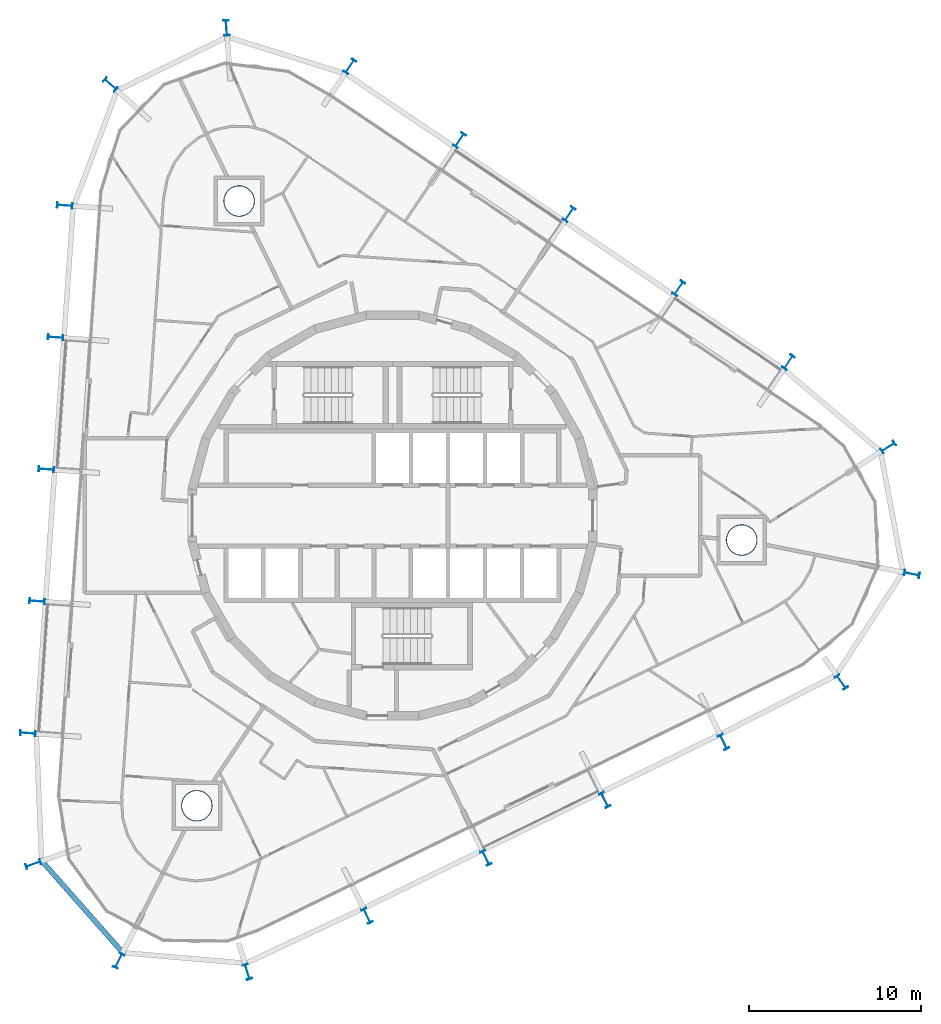
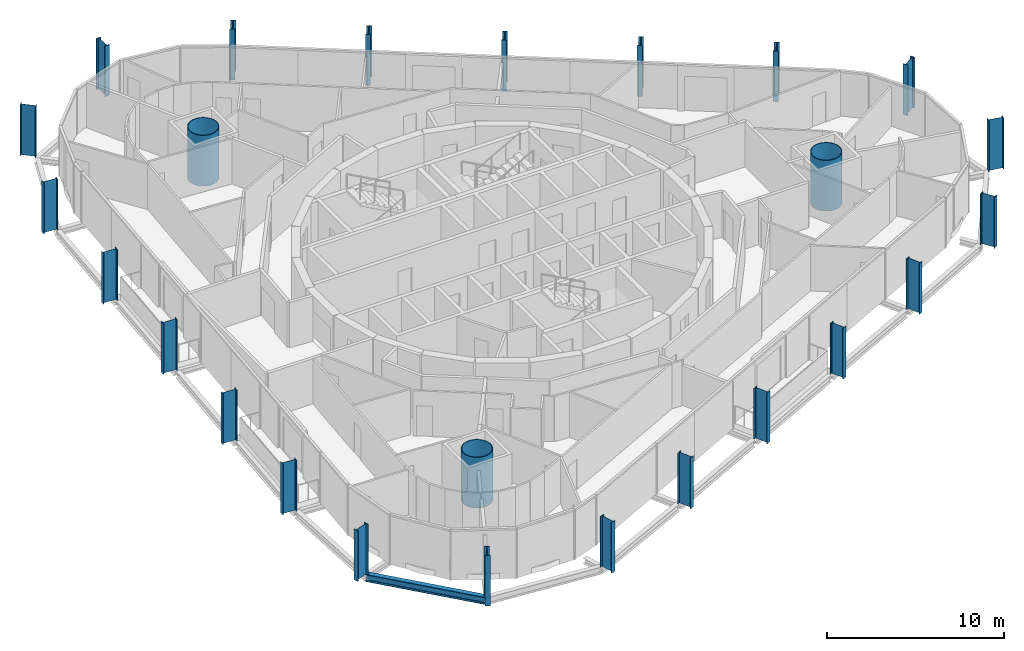
# One storey, part 1 of 18: 25 columns, 1 beam.
"""IFC4 building model written with IfcOpenShell, lengths in metres."""

import ifcopenshell
import ifcopenshell.guid

model = None  # the IFC model being written
_history = None  # IfcOwnerHistory: only IFC2X3 demands one
_inside = {}  # id of a spatial element -> (the spatial element, [elements in it])
_under = {}  # id of a project, library or spatial element -> (it, [spatial elements below it])
_declared = {}  # id of a project -> (the project, [libraries it declares])
_typed = {}  # id of a type object -> (the type object, [elements of that type])
_made_of = {}  # id of a material, layer set ... -> (it, [elements and type objects made of it])


def new_model(schema):
    """Start an empty IFC model of exactly this schema.

    Asked for "IFC4X3", IfcOpenShell would pick the latest addendum, in which some entities
    have other attributes; the version numbers below select the first issue.
    IFC2X3 requires an IfcOwnerHistory on every rooted entity: one is made here for all.
    """
    global model, _history
    if schema == "IFC4X3":
        model = ifcopenshell.file(schema_version=(4, 3, 0, 0))
    else:
        model = ifcopenshell.file(schema=schema)
    _inside.clear()
    _under.clear()
    _declared.clear()
    _typed.clear()
    _made_of.clear()
    _history = None
    if model.schema == "IFC2X3":
        org = make("IfcOrganization", Name="unknown")
        user = make(
            "IfcPersonAndOrganization",
            ThePerson=make("IfcPerson", FamilyName="unknown"),
            TheOrganization=org,
        )
        app = make(
            "IfcApplication",
            ApplicationDeveloper=org,
            Version="unknown",
            ApplicationFullName="unknown",
            ApplicationIdentifier="unknown",
        )
        _history = make(
            "IfcOwnerHistory",
            OwningUser=user,
            OwningApplication=app,
            ChangeAction="ADDED",
            CreationDate=0,
        )
    return model


def make(cls, **values):
    """One entity of the class cls with the attributes given. An attribute that is None is left unset."""
    return model.create_entity(
        cls, **{name: value for name, value in values.items() if value is not None}
    )


def rooted(cls, **values):
    """An entity with a GlobalId (a new one), such as an element, a storey or a relation."""
    return make(cls, GlobalId=ifcopenshell.guid.new(), OwnerHistory=_history, **values)


def si_unit(unit_type, name, prefix=None):
    """IfcSIUnit, for example si_unit("LENGTHUNIT", "METRE", prefix="MILLI")."""
    return make("IfcSIUnit", UnitType=unit_type, Prefix=prefix, Name=name)


def assignment(units):
    """IfcUnitAssignment: the units of a project."""
    return None if units is None else make("IfcUnitAssignment", Units=units)


def point(xyz):
    """IfcCartesianPoint."""
    return None if xyz is None else make("IfcCartesianPoint", Coordinates=xyz)


def direction(xyz):
    """IfcDirection."""
    return None if xyz is None else make("IfcDirection", DirectionRatios=xyz)


def frame(location, z_axis=None, x_axis=None):
    """IfcAxis2Placement3D, a coordinate frame: its origin and axes. An axis left out is left unset."""
    return make(
        "IfcAxis2Placement3D",
        Location=point(location),
        Axis=direction(z_axis),
        RefDirection=direction(x_axis),
    )


def frame_2d(location, x_axis=None):
    """IfcAxis2Placement2D, a coordinate frame in the plane: its origin and x axis."""
    return make(
        "IfcAxis2Placement2D", Location=point(location), RefDirection=direction(x_axis)
    )


def origin():
    """The frame at (0, 0, 0) with its axes left unset."""
    return frame((0.0, 0.0, 0.0))


def origin_2d():
    """The frame at (0, 0) in the plane with its x axis left unset."""
    return frame_2d((0.0, 0.0))


def place(relative_to, where):
    """IfcLocalPlacement: puts the frame where relative to a parent placement (None: the world)."""
    return make(
        "IfcLocalPlacement", PlacementRelTo=relative_to, RelativePlacement=where
    )


def context(
    kind, dimensions, precision=None, world=None, true_north=None, identifier=None
):
    """IfcGeometricRepresentationContext, for example the 3D "Model" context."""
    return make(
        "IfcGeometricRepresentationContext",
        ContextIdentifier=identifier,
        ContextType=kind,
        CoordinateSpaceDimension=dimensions,
        Precision=precision,
        WorldCoordinateSystem=world,
        TrueNorth=true_north,
    )


def subcontext(parent, identifier, kind, view, scale=None):
    """IfcGeometricRepresentationSubContext, for example "Body" below "Model"."""
    return make(
        "IfcGeometricRepresentationSubContext",
        ContextIdentifier=identifier,
        ContextType=kind,
        ParentContext=parent,
        TargetScale=scale,
        TargetView=view,
    )


def project(units=None, contexts=None):
    """IfcProject with its units and contexts."""
    return rooted(
        "IfcProject",
        Name="project",
        RepresentationContexts=contexts,
        UnitsInContext=assignment(units),
    )


def spatial(cls, under=None, at=None, **own):
    """A site, building, storey or space (cls), placed at a placement, below another one or the project."""
    s = rooted(cls, ObjectPlacement=at, **own)
    if under is not None:
        _under.setdefault(under.id(), (under, []))[1].append(s)
    return s


def profile(cls, at=None, kind="AREA", **sizes):
    """A parametric profile (cls). Its sizes go by their IFC names, for example OverallWidth=200.0."""
    return make(cls, ProfileType=kind, Position=at, **sizes)


def hollow_circle(**sizes):
    """IfcCircleHollowProfileDef."""
    return profile("IfcCircleHollowProfileDef", **sizes)


def i_section(**sizes):
    """IfcIShapeProfileDef."""
    return profile("IfcIShapeProfileDef", **sizes)


def extrude(swept, where, along, depth):
    """IfcExtrudedAreaSolid: the profile swept, set in the frame where, extruded along a direction by depth."""
    return make(
        "IfcExtrudedAreaSolid",
        SweptArea=swept,
        Position=where,
        ExtrudedDirection=direction(along),
        Depth=depth,
    )


def shape(context_of_items, identifier, shape_type, items):
    """IfcShapeRepresentation: the items that make up one representation, for example the "Body"."""
    return make(
        "IfcShapeRepresentation",
        ContextOfItems=context_of_items,
        RepresentationIdentifier=identifier,
        RepresentationType=shape_type,
        Items=items,
    )


def material(Name=None, Category=None):
    """IfcMaterial."""
    return make("IfcMaterial", Name=Name, Category=Category)


def material_profile(
    of_material, cross_section, Name=None, Category=None, Priority=None
):
    """IfcMaterialProfile: a cross section and its material."""
    return make(
        "IfcMaterialProfile",
        Name=Name,
        Material=of_material,
        Profile=cross_section,
        Priority=Priority,
        Category=Category,
    )


def profile_set(profiles, Name=None, composite=None):
    """IfcMaterialProfileSet."""
    return make(
        "IfcMaterialProfileSet",
        Name=Name,
        MaterialProfiles=profiles,
        CompositeProfile=composite,
    )


def made_of(thing, what):
    """Note that an element or type object is made of a material, layer set ...; save() writes the relation."""
    if what is not None:
        _made_of.setdefault(what.id(), (what, []))[1].append(thing)
    return thing


def type_object(cls, material=None, **own):
    """A type object (cls), such as IfcWallType, which elements share."""
    return made_of(rooted(cls, **own), material)


def element(
    cls,
    number,
    at=None,
    inside=None,
    cuts=None,
    type_object=None,
    material=None,
    context=None,
    identifier="Body",
    shape_type=None,
    held_by="IfcProductDefinitionShape",
    body=None,
    shapes=None,
    **own,
):
    """One element of the class cls, such as IfcWall. Its Tag is "e" and its number.

    at: its placement. inside: the storey or other place that contains it. cuts: it is an
    opening in that element (IfcRelVoidsElement). A single representation is given by context,
    identifier, shape_type and body (its items); several are given by shapes. held_by: the class
    of the entity that holds the representations. save() writes the other relations.
    """
    e = rooted(cls, Tag="e%d" % number, ObjectPlacement=at, **own)
    if body is not None:
        shapes = [shape(context, identifier, shape_type, body)]
    if shapes is not None:
        e.Representation = make(held_by, Representations=shapes)
    if inside is not None:
        _inside.setdefault(inside.id(), (inside, []))[1].append(e)
    if cuts is not None:
        rooted(
            "IfcRelVoidsElement", RelatingBuildingElement=cuts, RelatedOpeningElement=e
        )
    if type_object is not None:
        _typed.setdefault(type_object.id(), (type_object, []))[1].append(e)
    return made_of(e, material)


def aggregate(whole, parts):
    """IfcRelAggregates: a whole, such as a stair, and the parts it consists of."""
    return rooted("IfcRelAggregates", RelatingObject=whole, RelatedObjects=parts)


def save(model, path):
    """Write the relations noted so far, then the file.

    IfcRelAggregates (storeys below a building ...), IfcRelContainedInSpatialStructure (elements
    in a storey), IfcRelDefinesByType, IfcRelAssociatesMaterial and IfcRelDeclares: one each for
    every whole, place, type object, material and project.
    """
    for whole, parts in _under.values():
        aggregate(whole, parts)
    for where, things in _inside.values():
        rooted(
            "IfcRelContainedInSpatialStructure",
            RelatedElements=things,
            RelatingStructure=where,
        )
    for kind, things in _typed.values():
        rooted("IfcRelDefinesByType", RelatedObjects=things, RelatingType=kind)
    for what, things in _made_of.values():
        rooted("IfcRelAssociatesMaterial", RelatedObjects=things, RelatingMaterial=what)
    for by, libraries in _declared.values():
        rooted("IfcRelDeclares", RelatingContext=by, RelatedDefinitions=libraries)
    model.write(path)


model = new_model("IFC4")

# Units and contexts
model_context = context("Model", 3, precision=1e-05, world=origin(), true_north=direction((0.0, 1.0)))
body_context = subcontext(model_context, "Body", "Model", "MODEL_VIEW")
ifc_project = project(units=[si_unit("LENGTHUNIT", "METRE"), si_unit("AREAUNIT", "SQUARE_METRE"), si_unit("VOLUMEUNIT", "CUBIC_METRE"), si_unit("PLANEANGLEUNIT", "RADIAN"), si_unit("MASSUNIT", "GRAM", prefix="KILO")], contexts=[model_context])

# Site, building, storey
site_placement = place(None, origin())
site = spatial("IfcSite", under=ifc_project, at=site_placement, CompositionType="ELEMENT")
building_placement = place(site_placement, origin())
building = spatial("IfcBuilding", under=site, at=building_placement, Name="Spindle Arch Residences", CompositionType="ELEMENT")
storey_placement = place(building_placement, frame((0.0, 0.0, 205.89990234375)))
storey = spatial("IfcBuildingStorey", under=building, at=storey_placement, Name="L52", CompositionType="ELEMENT", Elevation=205.89990234375)

# Columns
ifc_material_1 = material(Name="Steel S460ML, intumescent coating R 240", Category="steel")
ifc_material_profile_1 = material_profile(ifc_material_1, i_section(OverallWidth=0.300048828125, OverallDepth=0.89990234375, WebThickness=0.0185546875, FlangeThickness=0.034912109375, FilletRadius=0.030029296875, at=origin_2d()), Name="HEB 900")
ifc_profile_set_1 = profile_set([ifc_material_profile_1], Name="Steel S460ML, intumescent coating R 240")
column_type_1 = type_object("IfcColumnType", Name="Exoskeleton post HEB 900", PredefinedType="COLUMN", material=ifc_profile_set_1)
for number, where, z_axis, x_axis, name in (
    (1, (12.347900390625, -16.5419921875, -0.3798828125), (0.0, 0.0, 1.0), (-0.898794095235, -0.438371046456, 0.0), "Exoskeleton post 1"),
    (2, (19.26318359375, -13.169189453125, -0.3798828125), (0.0, 0.0, 1.0), (-0.898794095235, -0.438371046456, 0.0), "Exoskeleton post 2"),
    (3, (26.11669921875, -9.685546875, -0.3798828125), (0.0, 0.0, 1.0), (-0.818345137662, -0.574727096686, 0.0), "Exoskeleton post 3"),
    (4, (30.217041015625, -3.39501953125, -0.3798828125), (0.0, 0.0, 1.0), (-0.195504943379, -0.980702715972, 0.0), "Exoskeleton post 4"),
    (5, (28.84228515625, 3.9873046875, -0.3798828125), (0.0, 0.0, 1.0), (0.535400283339, -0.844598446956, 0.0), "Exoskeleton post 5"),
    (6, (23.03466796875, 8.926025390625, -0.3798828125), (0.0, 0.0, 1.0), (0.829037661466, -0.559192771654, 0.0), "Exoskeleton post 6"),
    (7, (16.65625, 13.228271484375, -0.3798828125), (0.0, 0.0, 1.0), (0.829037661466, -0.559192771654, 0.0), "Exoskeleton post 7"),
    (8, (10.27783203125, 17.530517578125, -0.3798828125), (0.0, 0.0, 1.0), (0.829037661466, -0.559192771654, 0.0), "Exoskeleton post 8"),
    (9, (3.8994140625, 21.832763671875, -0.3798828125), (0.0, 0.0, 1.0), (0.829037661466, -0.559192771654, 0.0), "Exoskeleton post 9"),
    (10, (-2.47900390625, 26.135009765625, -0.3798828125), (0.0, 0.0, 1.0), (0.829037661466, -0.559192771654, 0.0), "Exoskeleton post 10"),
    (11, (-9.66162109375, 28.3740234375, -0.3798828125), (0.0, 0.0, 1.0), (0.997343345089, 0.072844025201, 0.0), "Exoskeleton post 11"),
    (12, (-16.41064453125, 25.082275390625, -0.3798828125), (0.0, 0.0, 1.0), (0.671427897912, 0.741069887329, 0.0), "Exoskeleton post 12"),
    (13, (-19.068603515625, 18.043701171875, -0.3798828125), (0.0, 0.0, 1.0), (0.069756005795, 0.997564082982, 0.0), "Exoskeleton post 13"),
    (14, (-19.605224609375, 10.368896484375, -0.3798828125), (0.0, 0.0, 1.0), (0.069756005795, 0.997564082982, 0.0), "Exoskeleton post 14"),
    (15, (-20.141845703125, 2.69384765625, -0.3798828125), (0.0, 0.0, 1.0), (0.069756005795, 0.997564082982, 0.0), "Exoskeleton post 15"),
    (16, (-20.6787109375, -4.981201171875, -0.3798828125), (0.0, 0.0, 1.0), (0.069756005795, 0.997564082982, 0.0), "Exoskeleton post 16"),
    (17, (-21.21533203125, -12.656005859375, -0.3798828125), (0.0, 0.0, 1.0), (0.069756005795, 0.997564082982, 0.0), "Exoskeleton post 17"),
    (18, (-20.899169921875, -20.273193359375, -0.3798828125), (0.0, 0.0, 1.0), (-0.335927007751, 0.941888021722, 0.0), "Exoskeleton post 18"),
    (19, (-15.92822265625, -25.901611328125, -0.3798828125), (0.0, 0.0, 1.0), (-0.893169071277, 0.449721035881, 0.0), "Exoskeleton post 19"),
    (20, (-8.446533203125, -26.543212890625, -0.3798828125), (0.0, 0.0, 1.0), (-0.956714575216, -0.291027870778, 0.0), "Exoskeleton post 20"),
    (21, (-1.482177734375, -23.287353515625, -0.3798828125), (0.0, 0.0, 1.0), (-0.898794095235, -0.438371046456, 0.0), "Exoskeleton post 21"),
    (22, (5.43310546875, -19.91455078125, -0.3798828125), (0.0, 0.0, 1.0), (-0.898794095235, -0.438371046456, 0.0), "Exoskeleton post 22"),
):
    element("IfcColumn", number, at=place(storey_placement, frame(where, z_axis=z_axis, x_axis=x_axis)), inside=storey, type_object=column_type_1, Name=name, PredefinedType="COLUMN", context=body_context, shape_type="SweptSolid", body=[
        extrude(i_section(OverallWidth=0.300048828125, OverallDepth=0.89990234375, WebThickness=0.0185546875, FlangeThickness=0.034912109375, FilletRadius=0.030029296875, at=origin_2d()), origin(), (0.0, 0.0, 1.0), 3.5),
    ])
ifc_material_2 = material(Name="Concrete C50/60 filled steel tube S460ML, intumescent coating R 240", Category="concrete")
ifc_material_profile_2 = material_profile(ifc_material_2, hollow_circle(Radius=0.89990234375, WallThickness=0.0400390625, at=origin_2d()), Name="CFT D1800x40")
ifc_profile_set_2 = profile_set([ifc_material_profile_2], Name="Concrete C50/60 filled steel tube S460ML, intumescent coating R 240")
column_type_2 = type_object("IfcColumnType", Name="Mega-column CFT D1800x40", PredefinedType="COLUMN", material=ifc_profile_set_2)
for number, where, z_axis, x_axis, name in (
    (23, (20.31201171875, -1.42041015625, -0.3798828125), (0.0, 0.0, 1.0), (1.0, 0.0, 0.0), "Mega-column 1"),
    (24, (-8.92578125, 18.30078125, -0.3798828125), (0.0, 0.0, 1.0), (1.0, 0.0, 0.0), "Mega-column 2"),
    (25, (-11.385986328125, -16.880615234375, -0.3798828125), (0.0, 0.0, 1.0), (1.0, 0.0, 0.0), "Mega-column 3"),
):
    element("IfcColumn", number, at=place(storey_placement, frame(where, z_axis=z_axis, x_axis=x_axis)), inside=storey, type_object=column_type_2, Name=name, PredefinedType="COLUMN", context=body_context, shape_type="SweptSolid", body=[
        extrude(hollow_circle(Radius=0.89990234375, WallThickness=0.0400390625, at=origin_2d()), origin(), (0.0, 0.0, 1.0), 3.5),
    ])

# Beam
ifc_material_3 = material(Name="Steel S460ML, intumescent coating R 120", Category="steel")
ifc_material_profile_3 = material_profile(ifc_material_3, i_section(OverallWidth=0.300048828125, OverallDepth=0.5, WebThickness=0.014404296875, FlangeThickness=0.028076171875, FilletRadius=0.027099609375, at=origin_2d()), Name="HEB 500")
ifc_profile_set_3 = profile_set([ifc_material_profile_3], Name="Steel S460ML, intumescent coating R 120")
beam_type = type_object("IfcBeamType", Name="Exoskeleton edge beam HEB 500", PredefinedType="BEAM", material=ifc_profile_set_3)
beam_placement = place(storey_placement, frame((-20.44580078125, -20.04638671875, -0.6298828125), z_axis=(0.661985798565, -0.749516379073, 0.0), x_axis=(0.749516379073, 0.661985798565, 0.0)))
element("IfcBeam", 26, at=beam_placement, inside=storey, type_object=beam_type, Name="Exoskeleton edge beam 18", PredefinedType="BEAM", context=body_context, shape_type="SweptSolid", body=[
    extrude(i_section(OverallWidth=0.300048828125, OverallDepth=0.5, WebThickness=0.014404296875, FlangeThickness=0.028076171875, FilletRadius=0.027099609375, at=origin_2d()), origin(), (0.0, 0.0, 1.0), 7.2490234375),
])

save(model, "model.ifc")
